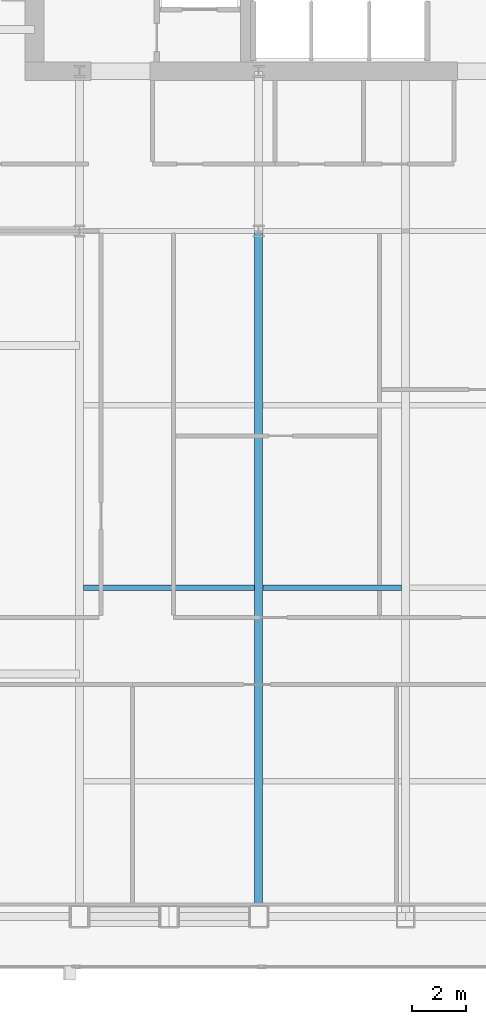
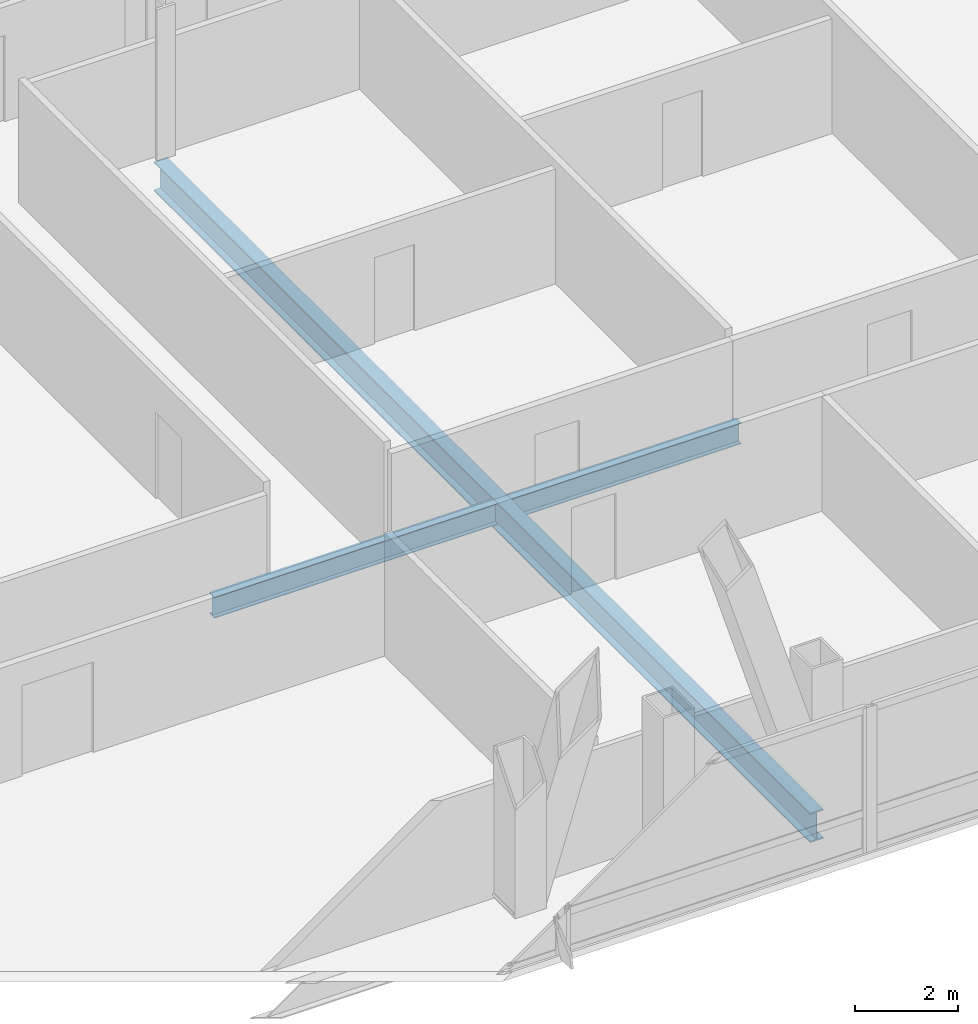
# One storey, part 9 of 30: 3 beams.
"""IFC4 building model written with IfcOpenShell, lengths in metres."""

from ifc_helpers import new_model, si_unit, direction, frame, origin, origin_2d, place, context, subcontext, project, spatial, i_section, extrude, material, material_profile, profile_set, type_object, element, save


model = new_model("IFC4")

# Units and contexts
model_context = context("Model", 3, precision=1e-05, world=origin(), true_north=direction((0.0, 1.0)))
body_context = subcontext(model_context, "Body", "Model", "MODEL_VIEW")
ifc_project = project(units=[si_unit("LENGTHUNIT", "METRE"), si_unit("AREAUNIT", "SQUARE_METRE"), si_unit("VOLUMEUNIT", "CUBIC_METRE"), si_unit("PLANEANGLEUNIT", "RADIAN"), si_unit("MASSUNIT", "GRAM", prefix="KILO")], contexts=[model_context])

# Site, building, storey
site_placement = place(None, origin())
site = spatial("IfcSite", under=ifc_project, at=site_placement, CompositionType="ELEMENT")
building_placement = place(site_placement, origin())
building = spatial("IfcBuilding", under=site, at=building_placement, Name="Khoronbel Lancet Exchange", CompositionType="ELEMENT")
storey_placement = place(building_placement, frame((0.0, 0.0, 147.0)))
storey = spatial("IfcBuildingStorey", under=building, at=storey_placement, Name="L36", CompositionType="ELEMENT", Elevation=147.0)

# Beams
ifc_material = material(Name="Steel S355", Category="steel")
ifc_material_profile_1 = material_profile(ifc_material, i_section(OverallWidth=0.300048828125, OverallDepth=0.699951171875, WebThickness=0.01708984375, FlangeThickness=0.031982421875, at=origin_2d()), Name="HEB 700")
ifc_profile_set_1 = profile_set([ifc_material_profile_1], Name="Steel S355")
beam_type_1 = type_object("IfcBeamType", Name="BM-BG3", PredefinedType="BEAM", material=ifc_profile_set_1)
beam_1_placement = place(storey_placement, frame((24.89990234375, 10.14990234375, -0.510009765625), z_axis=(0.0, 1.0, 0.0), x_axis=(-1.0, 0.0, 0.0)))
element("IfcBeam", 1, at=beam_1_placement, inside=storey, type_object=beam_type_1, Name="Level L36 south primary girder GS2", PredefinedType="BEAM", context=body_context, shape_type="SweptSolid", body=[
    extrude(i_section(OverallWidth=0.300048828125, OverallDepth=0.699951171875, WebThickness=0.01708984375, FlangeThickness=0.031982421875, at=origin_2d()), origin(), (0.0, 0.0, 1.0), 25.550048828125),
])
ifc_material_profile_2 = material_profile(ifc_material, i_section(OverallWidth=0.199951171875, OverallDepth=0.5, WebThickness=0.01025390625, FlangeThickness=0.01611328125, at=origin_2d()), Name="IPE 500")
ifc_profile_set_2 = profile_set([ifc_material_profile_2], Name="Steel S355")
beam_type_2 = type_object("IfcBeamType", Name="BM-BJ3", PredefinedType="JOIST", material=ifc_profile_set_2)
beam_2_placement = place(storey_placement, frame((18.375, 22.39990234375, -0.409912109375), z_axis=(1.0, 0.0, 0.0), x_axis=(0.0, 1.0, 0.0)))
element("IfcBeam", 2, at=beam_2_placement, inside=storey, type_object=beam_type_2, Name="Level L36 secondary composite joist J06", PredefinedType="JOIST", context=body_context, shape_type="SweptSolid", body=[
    extrude(i_section(OverallWidth=0.199951171875, OverallDepth=0.5, WebThickness=0.01025390625, FlangeThickness=0.01611328125, at=origin_2d()), origin(), (0.0, 0.0, 1.0), 6.375),
])
beam_3_placement = place(storey_placement, frame((25.050048828125, 22.39990234375, -0.409912109375), z_axis=(1.0, 0.0, 0.0), x_axis=(0.0, 1.0, 0.0)))
element("IfcBeam", 3, at=beam_3_placement, inside=storey, type_object=beam_type_2, Name="Level L36 secondary composite joist J07", PredefinedType="JOIST", context=body_context, shape_type="SweptSolid", body=[
    extrude(i_section(OverallWidth=0.199951171875, OverallDepth=0.5, WebThickness=0.01025390625, FlangeThickness=0.01611328125, at=origin_2d()), origin(), (0.0, 0.0, 1.0), 5.175048828125),
])

save(model, "model.ifc")
